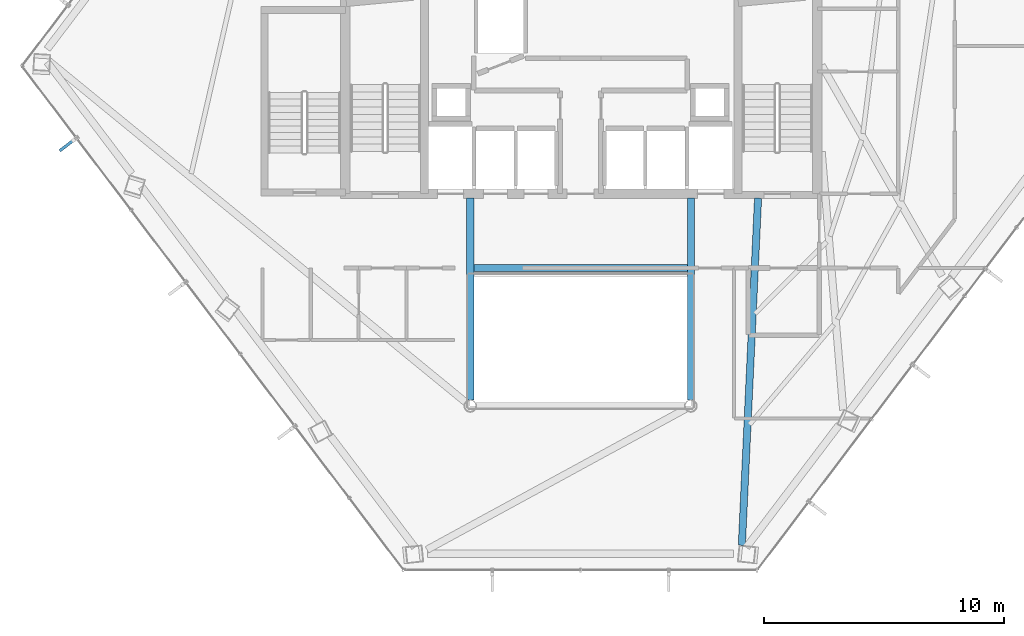
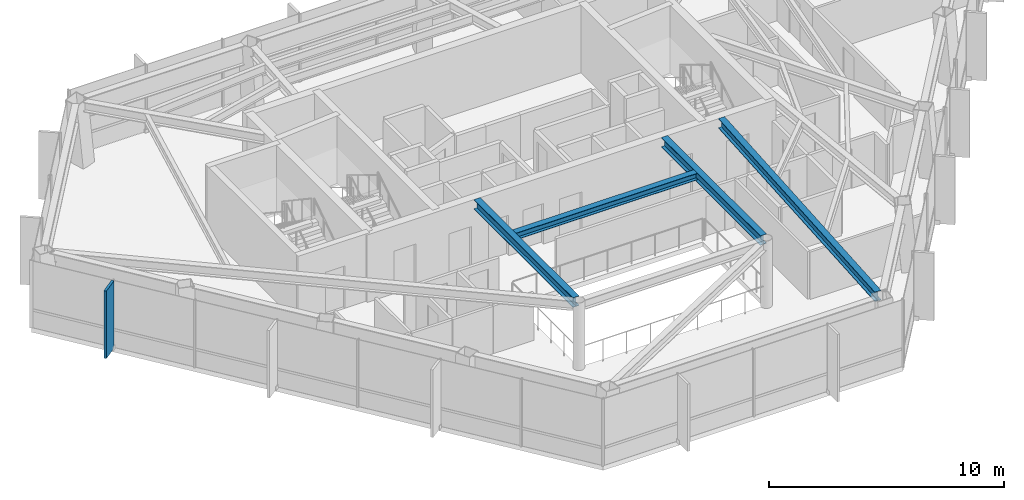
# One storey, part 9 of 27: 4 beams, 1 member, 1 element without a shape of its own.
"""IFC4 building model written with IfcOpenShell, lengths in metres."""

from ifc_helpers import new_model, si_unit, direction, frame, origin, origin_2d, place, context, subcontext, project, spatial, rectangle, i_section, extrude, material, layer, layer_set, material_profile, profile_set, type_object, element, aggregate, save


model = new_model("IFC4")

# Units and contexts
model_context = context("Model", 3, precision=1e-05, world=origin(), true_north=direction((0.0, 1.0)))
body_context = subcontext(model_context, "Body", "Model", "MODEL_VIEW")
ifc_project = project(units=[si_unit("LENGTHUNIT", "METRE"), si_unit("AREAUNIT", "SQUARE_METRE"), si_unit("VOLUMEUNIT", "CUBIC_METRE"), si_unit("PLANEANGLEUNIT", "RADIAN"), si_unit("MASSUNIT", "GRAM", prefix="KILO")], contexts=[model_context])

# Site, building, storey
site_placement = place(None, origin())
site = spatial("IfcSite", under=ifc_project, at=site_placement, CompositionType="ELEMENT")
building_placement = place(site_placement, origin())
building = spatial("IfcBuilding", under=site, at=building_placement, Name="Zarrinselat Tower", CompositionType="ELEMENT")
storey_placement = place(building_placement, frame((0.0, 0.0, 183.260009765625)))
storey = spatial("IfcBuildingStorey", under=building, at=storey_placement, Name="L45", CompositionType="ELEMENT", Elevation=183.260009765625)

# Beams
ifc_material_1 = material(Name="Steel S355J2", Category="steel")
ifc_material_profile_1 = material_profile(ifc_material_1, i_section(OverallWidth=0.300048828125, OverallDepth=0.35009765625, WebThickness=0.010009765625, FlangeThickness=0.017578125, at=origin_2d()), Name="HEA 360")
ifc_profile_set_1 = profile_set([ifc_material_profile_1], Name="Steel S355J2")
beam_type_1 = type_object("IfcBeamType", Name="BM-HEA360", PredefinedType="LINTEL", material=ifc_profile_set_1)
beam_1_placement = place(storey_placement, frame((33.93994140625, 30.14990234375, 3.324951171875), z_axis=(1.0, 0.0, 0.0), x_axis=(0.0, 1.0, 0.0)))
element("IfcBeam", 1, at=beam_1_placement, inside=storey, type_object=beam_type_1, Name="L45 Lift Lobby Ceiling Beam", PredefinedType="LINTEL", context=body_context, shape_type="SweptSolid", body=[
    extrude(i_section(OverallWidth=0.300048828125, OverallDepth=0.35009765625, WebThickness=0.010009765625, FlangeThickness=0.017578125, at=origin_2d()), origin(), (0.0, 0.0, 1.0), 8.920166015625),
])
ifc_material_2 = material(Name="Steel S355J2", Category="steel")
ifc_material_profile_2 = material_profile(ifc_material_2, i_section(OverallWidth=0.300048828125, OverallDepth=0.5, WebThickness=0.014404296875, FlangeThickness=0.028076171875, at=origin_2d()), Name="HEB 500")
ifc_profile_set_2 = profile_set([ifc_material_profile_2], Name="Steel S355J2")
beam_type_2 = type_object("IfcBeamType", Name="BM-HEB500", PredefinedType="BEAM", material=ifc_profile_set_2)
for number, where, z_axis, x_axis, name in (
    (2, (33.800048828125, 24.639892578125, 3.25), (0.0, 1.0, 0.0), (-1.0, 0.0, 0.0), "L45 Atrium Edge Beam W"),
    (3, (43.0, 24.639892578125, 3.25), (0.0, 1.0, 0.0), (-1.0, 0.0, 0.0), "L45 Atrium Edge Beam E"),
):
    element("IfcBeam", number, at=place(storey_placement, frame(where, z_axis=z_axis, x_axis=x_axis)), inside=storey, type_object=beam_type_2, Name=name, PredefinedType="BEAM", context=body_context, shape_type="SweptSolid", body=[
        extrude(i_section(OverallWidth=0.300048828125, OverallDepth=0.5, WebThickness=0.014404296875, FlangeThickness=0.028076171875, at=origin_2d()), origin(), (0.0, 0.0, 1.0), 8.420166015625),
    ])
beam_2_placement = place(storey_placement, frame((45.1240234375, 18.5908203125, 3.25), z_axis=(0.046670649412, 0.998910331553, 0.0), x_axis=(-0.998910331553, 0.046670649412, 0.0)))
element("IfcBeam", 4, at=beam_2_placement, inside=storey, type_object=beam_type_2, Name="L45 Radial Primary Girder RG11", PredefinedType="BEAM", context=body_context, shape_type="SweptSolid", body=[
    extrude(i_section(OverallWidth=0.300048828125, OverallDepth=0.5, WebThickness=0.014404296875, FlangeThickness=0.028076171875, at=origin_2d()), origin(), (0.0, 0.0, 1.0), 14.485107421875),
])

# Curtain wall, member
ifc_material_3 = material(Name="Extruded Aluminium Alloy EN AW-6063 T6", Category="aluminium")
ifc_layer = layer(ifc_material_3, 0.175048828125)
ifc_layer_set = layer_set([ifc_layer], Name="Extruded Aluminium Alloy EN AW-6063 T6")
curtain_wall_type = type_object("IfcCurtainWallType", Name="CWS-HTL", PredefinedType="NOTDEFINED", material=ifc_layer_set)
curtain_wall_placement = place(storey_placement, origin())
curtain_wall = element("IfcCurtainWall", 5, at=curtain_wall_placement, inside=storey, type_object=curtain_wall_type, Name="L45 Unitised Curtain Wall CW-L45-E03", PredefinedType="NOTDEFINED")
ifc_material_4 = material(Name="Honed Cream Travertine Stone", Category="masonry")
ifc_material_profile_3 = material_profile(ifc_material_4, rectangle(XDim=0.1201171875, YDim=0.85009765625, at=origin_2d()), Name="FIN 850x120")
ifc_profile_set_3 = profile_set([ifc_material_profile_3], Name="Honed Cream Travertine Stone")
member_type = type_object("IfcMemberType", Name="MEM-STONE-FIN", PredefinedType="USERDEFINED", material=ifc_profile_set_3)
member_placement = place(storey_placement, frame((17.02783203125, 35.29150390625, 0.0), z_axis=(0.0, 0.0, 1.0), x_axis=(-0.603857322892, 0.797092424748, 0.0)))
member = element("IfcMember", 6, at=member_placement, type_object=member_type, Name="L45 Stone Shading Fin CW-L45-E03-01", ObjectType="FIN", PredefinedType="USERDEFINED", context=body_context, shape_type="SweptSolid", body=[
    extrude(rectangle(XDim=0.1201171875, YDim=0.85009765625, at=origin_2d()), origin(), (0.0, 0.0, 1.0), 3.5),
])
aggregate(curtain_wall, [member])

save(model, "model.ifc")
